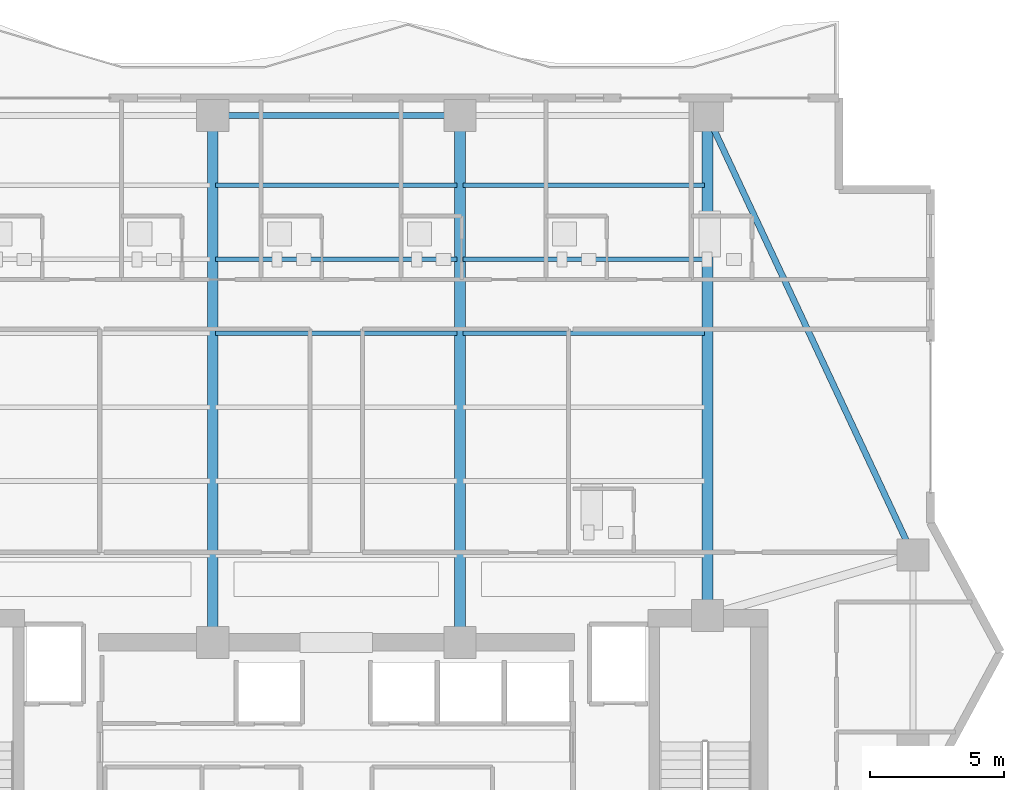
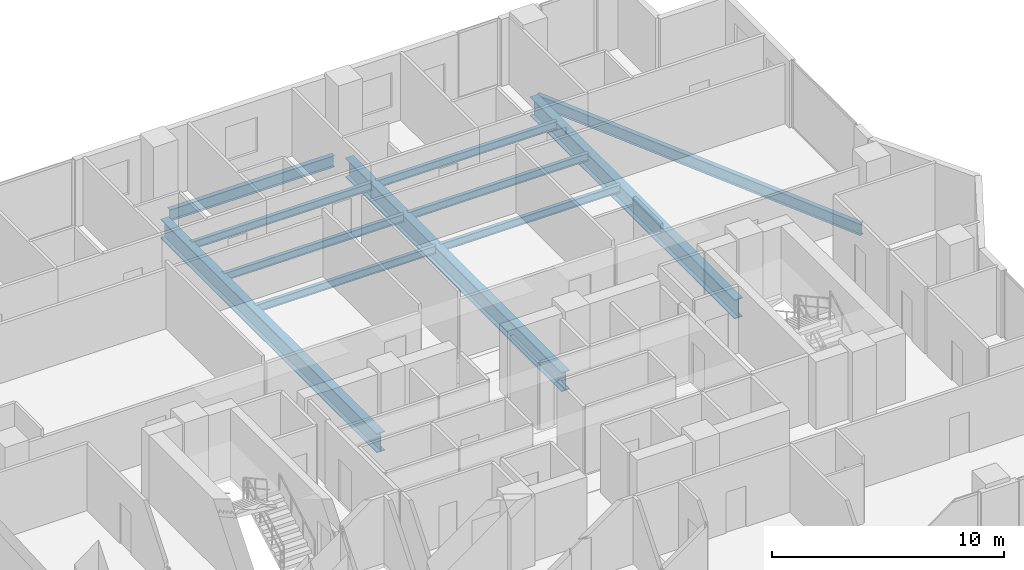
# One storey, part 20 of 32: 11 beams.
"""IFC4 building model written with IfcOpenShell, lengths in metres."""

import ifcopenshell
import ifcopenshell.guid

model = None  # the IFC model being written
_history = None  # IfcOwnerHistory: only IFC2X3 demands one
_inside = {}  # id of a spatial element -> (the spatial element, [elements in it])
_under = {}  # id of a project, library or spatial element -> (it, [spatial elements below it])
_declared = {}  # id of a project -> (the project, [libraries it declares])
_typed = {}  # id of a type object -> (the type object, [elements of that type])
_made_of = {}  # id of a material, layer set ... -> (it, [elements and type objects made of it])


def new_model(schema):
    """Start an empty IFC model of exactly this schema.

    Asked for "IFC4X3", IfcOpenShell would pick the latest addendum, in which some entities
    have other attributes; the version numbers below select the first issue.
    IFC2X3 requires an IfcOwnerHistory on every rooted entity: one is made here for all.
    """
    global model, _history
    if schema == "IFC4X3":
        model = ifcopenshell.file(schema_version=(4, 3, 0, 0))
    else:
        model = ifcopenshell.file(schema=schema)
    _inside.clear()
    _under.clear()
    _declared.clear()
    _typed.clear()
    _made_of.clear()
    _history = None
    if model.schema == "IFC2X3":
        org = make("IfcOrganization", Name="unknown")
        user = make(
            "IfcPersonAndOrganization",
            ThePerson=make("IfcPerson", FamilyName="unknown"),
            TheOrganization=org,
        )
        app = make(
            "IfcApplication",
            ApplicationDeveloper=org,
            Version="unknown",
            ApplicationFullName="unknown",
            ApplicationIdentifier="unknown",
        )
        _history = make(
            "IfcOwnerHistory",
            OwningUser=user,
            OwningApplication=app,
            ChangeAction="ADDED",
            CreationDate=0,
        )
    return model


def make(cls, **values):
    """One entity of the class cls with the attributes given. An attribute that is None is left unset."""
    return model.create_entity(
        cls, **{name: value for name, value in values.items() if value is not None}
    )


def rooted(cls, **values):
    """An entity with a GlobalId (a new one), such as an element, a storey or a relation."""
    return make(cls, GlobalId=ifcopenshell.guid.new(), OwnerHistory=_history, **values)


def si_unit(unit_type, name, prefix=None):
    """IfcSIUnit, for example si_unit("LENGTHUNIT", "METRE", prefix="MILLI")."""
    return make("IfcSIUnit", UnitType=unit_type, Prefix=prefix, Name=name)


def assignment(units):
    """IfcUnitAssignment: the units of a project."""
    return None if units is None else make("IfcUnitAssignment", Units=units)


def point(xyz):
    """IfcCartesianPoint."""
    return None if xyz is None else make("IfcCartesianPoint", Coordinates=xyz)


def direction(xyz):
    """IfcDirection."""
    return None if xyz is None else make("IfcDirection", DirectionRatios=xyz)


def frame(location, z_axis=None, x_axis=None):
    """IfcAxis2Placement3D, a coordinate frame: its origin and axes. An axis left out is left unset."""
    return make(
        "IfcAxis2Placement3D",
        Location=point(location),
        Axis=direction(z_axis),
        RefDirection=direction(x_axis),
    )


def frame_2d(location, x_axis=None):
    """IfcAxis2Placement2D, a coordinate frame in the plane: its origin and x axis."""
    return make(
        "IfcAxis2Placement2D", Location=point(location), RefDirection=direction(x_axis)
    )


def origin():
    """The frame at (0, 0, 0) with its axes left unset."""
    return frame((0.0, 0.0, 0.0))


def origin_2d():
    """The frame at (0, 0) in the plane with its x axis left unset."""
    return frame_2d((0.0, 0.0))


def place(relative_to, where):
    """IfcLocalPlacement: puts the frame where relative to a parent placement (None: the world)."""
    return make(
        "IfcLocalPlacement", PlacementRelTo=relative_to, RelativePlacement=where
    )


def context(
    kind, dimensions, precision=None, world=None, true_north=None, identifier=None
):
    """IfcGeometricRepresentationContext, for example the 3D "Model" context."""
    return make(
        "IfcGeometricRepresentationContext",
        ContextIdentifier=identifier,
        ContextType=kind,
        CoordinateSpaceDimension=dimensions,
        Precision=precision,
        WorldCoordinateSystem=world,
        TrueNorth=true_north,
    )


def subcontext(parent, identifier, kind, view, scale=None):
    """IfcGeometricRepresentationSubContext, for example "Body" below "Model"."""
    return make(
        "IfcGeometricRepresentationSubContext",
        ContextIdentifier=identifier,
        ContextType=kind,
        ParentContext=parent,
        TargetScale=scale,
        TargetView=view,
    )


def project(units=None, contexts=None):
    """IfcProject with its units and contexts."""
    return rooted(
        "IfcProject",
        Name="project",
        RepresentationContexts=contexts,
        UnitsInContext=assignment(units),
    )


def spatial(cls, under=None, at=None, **own):
    """A site, building, storey or space (cls), placed at a placement, below another one or the project."""
    s = rooted(cls, ObjectPlacement=at, **own)
    if under is not None:
        _under.setdefault(under.id(), (under, []))[1].append(s)
    return s


def profile(cls, at=None, kind="AREA", **sizes):
    """A parametric profile (cls). Its sizes go by their IFC names, for example OverallWidth=200.0."""
    return make(cls, ProfileType=kind, Position=at, **sizes)


def i_section(**sizes):
    """IfcIShapeProfileDef."""
    return profile("IfcIShapeProfileDef", **sizes)


def extrude(swept, where, along, depth):
    """IfcExtrudedAreaSolid: the profile swept, set in the frame where, extruded along a direction by depth."""
    return make(
        "IfcExtrudedAreaSolid",
        SweptArea=swept,
        Position=where,
        ExtrudedDirection=direction(along),
        Depth=depth,
    )


def shape(context_of_items, identifier, shape_type, items):
    """IfcShapeRepresentation: the items that make up one representation, for example the "Body"."""
    return make(
        "IfcShapeRepresentation",
        ContextOfItems=context_of_items,
        RepresentationIdentifier=identifier,
        RepresentationType=shape_type,
        Items=items,
    )


def material(Name=None, Category=None):
    """IfcMaterial."""
    return make("IfcMaterial", Name=Name, Category=Category)


def material_profile(
    of_material, cross_section, Name=None, Category=None, Priority=None
):
    """IfcMaterialProfile: a cross section and its material."""
    return make(
        "IfcMaterialProfile",
        Name=Name,
        Material=of_material,
        Profile=cross_section,
        Priority=Priority,
        Category=Category,
    )


def profile_set(profiles, Name=None, composite=None):
    """IfcMaterialProfileSet."""
    return make(
        "IfcMaterialProfileSet",
        Name=Name,
        MaterialProfiles=profiles,
        CompositeProfile=composite,
    )


def made_of(thing, what):
    """Note that an element or type object is made of a material, layer set ...; save() writes the relation."""
    if what is not None:
        _made_of.setdefault(what.id(), (what, []))[1].append(thing)
    return thing


def type_object(cls, material=None, **own):
    """A type object (cls), such as IfcWallType, which elements share."""
    return made_of(rooted(cls, **own), material)


def element(
    cls,
    number,
    at=None,
    inside=None,
    cuts=None,
    type_object=None,
    material=None,
    context=None,
    identifier="Body",
    shape_type=None,
    held_by="IfcProductDefinitionShape",
    body=None,
    shapes=None,
    **own,
):
    """One element of the class cls, such as IfcWall. Its Tag is "e" and its number.

    at: its placement. inside: the storey or other place that contains it. cuts: it is an
    opening in that element (IfcRelVoidsElement). A single representation is given by context,
    identifier, shape_type and body (its items); several are given by shapes. held_by: the class
    of the entity that holds the representations. save() writes the other relations.
    """
    e = rooted(cls, Tag="e%d" % number, ObjectPlacement=at, **own)
    if body is not None:
        shapes = [shape(context, identifier, shape_type, body)]
    if shapes is not None:
        e.Representation = make(held_by, Representations=shapes)
    if inside is not None:
        _inside.setdefault(inside.id(), (inside, []))[1].append(e)
    if cuts is not None:
        rooted(
            "IfcRelVoidsElement", RelatingBuildingElement=cuts, RelatedOpeningElement=e
        )
    if type_object is not None:
        _typed.setdefault(type_object.id(), (type_object, []))[1].append(e)
    return made_of(e, material)


def aggregate(whole, parts):
    """IfcRelAggregates: a whole, such as a stair, and the parts it consists of."""
    return rooted("IfcRelAggregates", RelatingObject=whole, RelatedObjects=parts)


def save(model, path):
    """Write the relations noted so far, then the file.

    IfcRelAggregates (storeys below a building ...), IfcRelContainedInSpatialStructure (elements
    in a storey), IfcRelDefinesByType, IfcRelAssociatesMaterial and IfcRelDeclares: one each for
    every whole, place, type object, material and project.
    """
    for whole, parts in _under.values():
        aggregate(whole, parts)
    for where, things in _inside.values():
        rooted(
            "IfcRelContainedInSpatialStructure",
            RelatedElements=things,
            RelatingStructure=where,
        )
    for kind, things in _typed.values():
        rooted("IfcRelDefinesByType", RelatedObjects=things, RelatingType=kind)
    for what, things in _made_of.values():
        rooted("IfcRelAssociatesMaterial", RelatedObjects=things, RelatingMaterial=what)
    for by, libraries in _declared.values():
        rooted("IfcRelDeclares", RelatingContext=by, RelatedDefinitions=libraries)
    model.write(path)


model = new_model("IFC4")

# Units and contexts
model_context = context("Model", 3, precision=1e-05, world=origin(), true_north=direction((0.0, 1.0)))
body_context = subcontext(model_context, "Body", "Model", "MODEL_VIEW")
ifc_project = project(units=[si_unit("LENGTHUNIT", "METRE"), si_unit("AREAUNIT", "SQUARE_METRE"), si_unit("VOLUMEUNIT", "CUBIC_METRE"), si_unit("PLANEANGLEUNIT", "RADIAN"), si_unit("MASSUNIT", "GRAM", prefix="KILO")], contexts=[model_context])

# Site, building, storey
site_placement = place(None, origin())
site = spatial("IfcSite", under=ifc_project, at=site_placement, CompositionType="ELEMENT")
building_placement = place(site_placement, origin())
building = spatial("IfcBuilding", under=site, at=building_placement, Name="Zuhayl Quay Hotel", CompositionType="ELEMENT")
storey_placement = place(building_placement, frame((0.0, 0.0, 203.64990234375)))
storey = spatial("IfcBuildingStorey", under=building, at=storey_placement, Name="L51", CompositionType="ELEMENT", Elevation=203.64990234375)

# Beams
ifc_material = material(Name="Steel ASTM A992 Grade 50", Category="steel")
ifc_material_profile_1 = material_profile(ifc_material, i_section(OverallWidth=0.22802734375, OverallDepth=0.60693359375, WebThickness=0.01123046875, FlangeThickness=0.017333984375, at=origin_2d()), Name="W24X76")
ifc_profile_set_1 = profile_set([ifc_material_profile_1], Name="Steel ASTM A992 Grade 50")
beam_type_1 = type_object("IfcBeamType", Name="BM_B3_W24X76", PredefinedType="BEAM", material=ifc_profile_set_1)
beam_1_placement = place(storey_placement, frame((21.238037109375, 17.052978515625, -0.5234375), z_axis=(-0.423792164429, 0.905759461098, 0.0), x_axis=(-0.905759461098, -0.423792164429, 0.0)))
element("IfcBeam", 1, at=beam_1_placement, inside=storey, type_object=beam_type_1, Name="L51 Floor Beam RG_L51_06", PredefinedType="BEAM", context=body_context, shape_type="SweptSolid", body=[
    extrude(i_section(OverallWidth=0.22802734375, OverallDepth=0.60693359375, WebThickness=0.01123046875, FlangeThickness=0.017333984375, at=origin_2d()), origin(), (0.0, 0.0, 1.0), 17.051025390625),
])
beam_2_placement = place(storey_placement, frame((4.10009765625, 32.949951171875, -0.5234375), z_axis=(-1.0, 0.0, 0.0), x_axis=(0.0, -1.0, 0.0)))
element("IfcBeam", 2, at=beam_2_placement, inside=storey, type_object=beam_type_1, Name="L51 Floor Beam RG_L51_08", PredefinedType="BEAM", context=body_context, shape_type="SweptSolid", body=[
    extrude(i_section(OverallWidth=0.22802734375, OverallDepth=0.60693359375, WebThickness=0.01123046875, FlangeThickness=0.017333984375, at=origin_2d()), origin(), (0.0, 0.0, 1.0), 8.2001953125),
])
ifc_material_profile_2 = material_profile(ifc_material, i_section(OverallWidth=0.177978515625, OverallDepth=0.406005859375, WebThickness=0.0078125, FlangeThickness=0.0126953125, at=origin_2d()), Name="W16X40")
ifc_profile_set_2 = profile_set([ifc_material_profile_2], Name="Steel ASTM A992 Grade 50")
beam_type_2 = type_object("IfcBeamType", Name="BM_J2B_W16X40", PredefinedType="JOIST", material=ifc_profile_set_2)
beam_3_placement = place(storey_placement, frame((-4.493896484375, 24.85009765625, -0.4228515625), z_axis=(1.0, 0.0, 0.0), x_axis=(0.0, 1.0, 0.0)))
element("IfcBeam", 3, at=beam_3_placement, inside=storey, type_object=beam_type_2, Name="L51 Floor Beam FJ_L51_4_2", PredefinedType="JOIST", context=body_context, shape_type="SweptSolid", body=[
    extrude(i_section(OverallWidth=0.177978515625, OverallDepth=0.406005859375, WebThickness=0.0078125, FlangeThickness=0.0126953125, at=origin_2d()), origin(), (0.0, 0.0, 1.0), 8.98779296875),
])
beam_4_placement = place(storey_placement, frame((4.7060546875, 24.85009765625, -0.4228515625), z_axis=(1.0, 0.0, 0.0), x_axis=(0.0, 1.0, 0.0)))
element("IfcBeam", 4, at=beam_4_placement, inside=storey, type_object=beam_type_2, Name="L51 Floor Beam FJ_L51_4_3", PredefinedType="JOIST", context=body_context, shape_type="SweptSolid", body=[
    extrude(i_section(OverallWidth=0.177978515625, OverallDepth=0.406005859375, WebThickness=0.0078125, FlangeThickness=0.0126953125, at=origin_2d()), origin(), (0.0, 0.0, 1.0), 8.988037109375),
])
beam_5_placement = place(storey_placement, frame((-4.493896484375, 27.60009765625, -0.4228515625), z_axis=(1.0, 0.0, 0.0), x_axis=(0.0, 1.0, 0.0)))
element("IfcBeam", 5, at=beam_5_placement, inside=storey, type_object=beam_type_2, Name="L51 Floor Beam FJ_L51_5_2", PredefinedType="JOIST", context=body_context, shape_type="SweptSolid", body=[
    extrude(i_section(OverallWidth=0.177978515625, OverallDepth=0.406005859375, WebThickness=0.0078125, FlangeThickness=0.0126953125, at=origin_2d()), origin(), (0.0, 0.0, 1.0), 8.98779296875),
])
beam_6_placement = place(storey_placement, frame((4.7060546875, 27.60009765625, -0.4228515625), z_axis=(1.0, 0.0, 0.0), x_axis=(0.0, 1.0, 0.0)))
element("IfcBeam", 6, at=beam_6_placement, inside=storey, type_object=beam_type_2, Name="L51 Floor Beam FJ_L51_5_3", PredefinedType="JOIST", context=body_context, shape_type="SweptSolid", body=[
    extrude(i_section(OverallWidth=0.177978515625, OverallDepth=0.406005859375, WebThickness=0.0078125, FlangeThickness=0.0126953125, at=origin_2d()), origin(), (0.0, 0.0, 1.0), 8.988037109375),
])
beam_7_placement = place(storey_placement, frame((-4.493896484375, 30.35009765625, -0.4228515625), z_axis=(1.0, 0.0, 0.0), x_axis=(0.0, 1.0, 0.0)))
element("IfcBeam", 7, at=beam_7_placement, inside=storey, type_object=beam_type_2, Name="L51 Floor Beam FJ_L51_6_2", PredefinedType="JOIST", context=body_context, shape_type="SweptSolid", body=[
    extrude(i_section(OverallWidth=0.177978515625, OverallDepth=0.406005859375, WebThickness=0.0078125, FlangeThickness=0.0126953125, at=origin_2d()), origin(), (0.0, 0.0, 1.0), 8.98779296875),
])
beam_8_placement = place(storey_placement, frame((4.7060546875, 30.35009765625, -0.4228515625), z_axis=(1.0, 0.0, 0.0), x_axis=(0.0, 1.0, 0.0)))
element("IfcBeam", 8, at=beam_8_placement, inside=storey, type_object=beam_type_2, Name="L51 Floor Beam FJ_L51_6_3", PredefinedType="JOIST", context=body_context, shape_type="SweptSolid", body=[
    extrude(i_section(OverallWidth=0.177978515625, OverallDepth=0.406005859375, WebThickness=0.0078125, FlangeThickness=0.0126953125, at=origin_2d()), origin(), (0.0, 0.0, 1.0), 8.988037109375),
])
ifc_material_profile_3 = material_profile(ifc_material, i_section(OverallWidth=0.40087890625, OverallDepth=1.010986328125, WebThickness=0.023681640625, FlangeThickness=0.0419921875, at=origin_2d()), Name="W40X297")
ifc_profile_set_3 = profile_set([ifc_material_profile_3], Name="Steel ASTM A992 Grade 50")
beam_type_3 = type_object("IfcBeamType", Name="BM_TG2_W40X297", PredefinedType="BEAM", material=ifc_profile_set_3)
for number, where, z_axis, x_axis, name in (
    (9, (-4.60009765625, 13.800048828125, -0.725341796875), (0.0, 1.0, 0.0), (-1.0, 0.0, 0.0), "L51 Floor Beam FG_N_L51_2"),
    (10, (4.60009765625, 13.800048828125, -0.725341796875), (0.0, 1.0, 0.0), (-1.0, 0.0, 0.0), "L51 Floor Beam FG_N_L51_3"),
):
    element("IfcBeam", number, at=place(storey_placement, frame(where, z_axis=z_axis, x_axis=x_axis)), inside=storey, type_object=beam_type_3, Name=name, PredefinedType="BEAM", context=body_context, shape_type="SweptSolid", body=[
        extrude(i_section(OverallWidth=0.40087890625, OverallDepth=1.010986328125, WebThickness=0.023681640625, FlangeThickness=0.0419921875, at=origin_2d()), origin(), (0.0, 0.0, 1.0), 18.64990234375),
    ])
beam_9_placement = place(storey_placement, frame((13.800048828125, 14.800048828125, -0.725341796875), z_axis=(0.0, 1.0, 0.0), x_axis=(-1.0, 0.0, 0.0)))
element("IfcBeam", 11, at=beam_9_placement, inside=storey, type_object=beam_type_3, Name="L51 Floor Beam FG_N_L51_4", PredefinedType="BEAM", context=body_context, shape_type="SweptSolid", body=[
    extrude(i_section(OverallWidth=0.40087890625, OverallDepth=1.010986328125, WebThickness=0.023681640625, FlangeThickness=0.0419921875, at=origin_2d()), origin(), (0.0, 0.0, 1.0), 17.64990234375),
])

save(model, "model.ifc")
